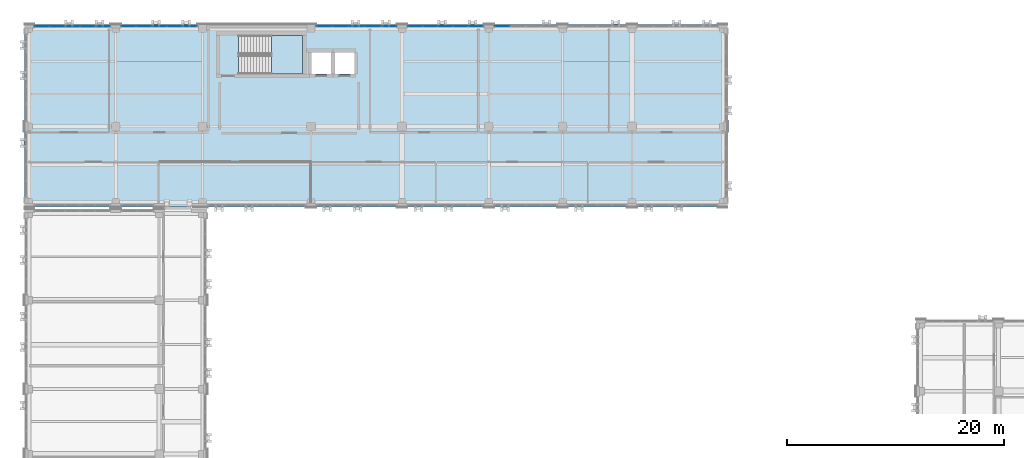
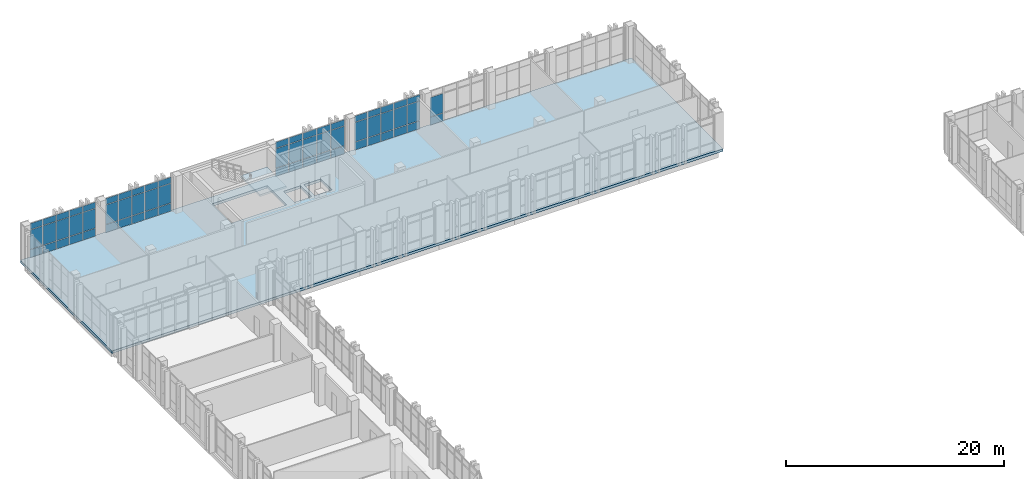
# One storey, part 146 of 193: 62 plates, 2 slabs, 6 elements without a shape of their own.
"""IFC4 building model written with IfcOpenShell, lengths in metres."""

from ifc_helpers import new_model, si_unit, direction, frame, origin, origin_2d, place, context, subcontext, project, spatial, polyline, rectangle, outline, extrude, material, layer, layer_set, type_object, element, aggregate, save


model = new_model("IFC4")

# Units and contexts
model_context = context("Model", 3, precision=1e-05, world=origin(), true_north=direction((0.0, 1.0)))
body_context = subcontext(model_context, "Body", "Model", "MODEL_VIEW")
ifc_project = project(units=[si_unit("LENGTHUNIT", "METRE"), si_unit("AREAUNIT", "SQUARE_METRE"), si_unit("VOLUMEUNIT", "CUBIC_METRE"), si_unit("PLANEANGLEUNIT", "RADIAN"), si_unit("MASSUNIT", "GRAM", prefix="KILO")], contexts=[model_context])

# Site, building, storey
site_placement = place(None, origin())
site = spatial("IfcSite", under=ifc_project, at=site_placement, CompositionType="ELEMENT")
building_placement = place(site_placement, origin())
building = spatial("IfcBuilding", under=site, at=building_placement, Name="Qalavern Law Courts", CompositionType="ELEMENT")
storey_placement = place(building_placement, frame((0.0, 0.0, 10.199951171875)))
storey = spatial("IfcBuildingStorey", under=building, at=storey_placement, Name="L02", CompositionType="ELEMENT", Elevation=10.199951171875)

# Curtain wall, plates
ifc_material_1 = material(Name="Anodised aluminium and insulated glazing", Category="aluminium")
ifc_layer_1 = layer(ifc_material_1, 0.166015625)
ifc_layer_set_1 = layer_set([ifc_layer_1], Name="Anodised aluminium and insulated glazing")
curtain_wall_type = type_object("IfcCurtainWallType", Name="ENV-CW-LIB", PredefinedType="USERDEFINED", material=ifc_layer_set_1)
curtain_wall_1_placement = place(storey_placement, origin())
curtain_wall_1 = element("IfcCurtainWall", 1, at=curtain_wall_1_placement, inside=storey, type_object=curtain_wall_type, Name="V5 unitised curtain wall L02 north 3", ObjectType="UNITISED CURTAIN WALL", PredefinedType="USERDEFINED")
ifc_material_2 = material(Name="Insulated low-E acoustic glazing", Category="glass")
ifc_layer_2 = layer(ifc_material_2, 0.02392578125)
ifc_layer_set_2 = layer_set([ifc_layer_2], Name="Insulated low-E acoustic glazing")
plate_type_1 = type_object("IfcPlateType", Name="ENV-CWP-24", PredefinedType="CURTAIN_PANEL", material=ifc_layer_set_2)
plate_1_placement = place(storey_placement, frame((46.037109375, 112.844970703125, 0.048095703125), z_axis=(0.0, 0.0, 1.0), x_axis=(-1.0, 0.0, 0.0)))
plate_1 = element("IfcPlate", 2, at=plate_1_placement, type_object=plate_type_1, Name="CW-05 panel 4.1", PredefinedType="CURTAIN_PANEL", context=body_context, shape_type="SweptSolid", body=[
    extrude(rectangle(XDim=1.3779296875, YDim=0.02392578125, at=origin_2d()), origin(), (0.0, 0.0, 1.0), 0.8779296875),
])
plate_2_placement = place(storey_placement, frame((46.037109375, 112.844970703125, 0.97412109375), z_axis=(0.0, 0.0, 1.0), x_axis=(-1.0, 0.0, 0.0)))
plate_2 = element("IfcPlate", 3, at=plate_2_placement, type_object=plate_type_1, Name="CW-05 panel 4.2", PredefinedType="CURTAIN_PANEL", context=body_context, shape_type="SweptSolid", body=[
    extrude(rectangle(XDim=1.3779296875, YDim=0.02392578125, at=origin_2d()), origin(), (0.0, 0.0, 1.0), 2.1669921875),
])
aggregate(curtain_wall_1, [plate_1, plate_2])

curtain_wall_2_placement = place(storey_placement, origin())
curtain_wall_2 = element("IfcCurtainWall", 4, at=curtain_wall_2_placement, inside=storey, type_object=curtain_wall_type, Name="V5 unitised curtain wall L02 north 4", ObjectType="UNITISED CURTAIN WALL", PredefinedType="USERDEFINED")
ifc_layer_3 = layer(ifc_material_2, 0.028076171875)
ifc_layer_set_3 = layer_set([ifc_layer_3], Name="Insulated low-E acoustic glazing")
plate_type_2 = type_object("IfcPlateType", Name="ENV-CWP-28", PredefinedType="CURTAIN_PANEL", material=ifc_layer_set_3)
plate_3_placement = place(storey_placement, frame((43.587890625, 112.844970703125, 0.048095703125), z_axis=(0.0, 0.0, 1.0), x_axis=(-1.0, 0.0, 0.0)))
plate_3 = element("IfcPlate", 5, at=plate_3_placement, type_object=plate_type_2, Name="CW-05 panel 1.1", PredefinedType="CURTAIN_PANEL", context=body_context, shape_type="SweptSolid", body=[
    extrude(rectangle(XDim=1.327880859375, YDim=0.028076171875, at=origin_2d()), origin(), (0.0, 0.0, 1.0), 0.8779296875),
])
plate_4_placement = place(storey_placement, frame((43.587890625, 112.844970703125, 0.97412109375), z_axis=(0.0, 0.0, 1.0), x_axis=(-1.0, 0.0, 0.0)))
plate_4 = element("IfcPlate", 6, at=plate_4_placement, type_object=plate_type_2, Name="CW-05 panel 1.2", PredefinedType="CURTAIN_PANEL", context=body_context, shape_type="SweptSolid", body=[
    extrude(rectangle(XDim=1.327880859375, YDim=0.028076171875, at=origin_2d()), origin(), (0.0, 0.0, 1.0), 2.1669921875),
])
plate_5_placement = place(storey_placement, frame((43.587890625, 112.844970703125, 3.18896484375), z_axis=(0.0, 0.0, 1.0), x_axis=(-1.0, 0.0, 0.0)))
plate_5 = element("IfcPlate", 7, at=plate_5_placement, type_object=plate_type_2, Name="CW-05 panel 1.3", PredefinedType="CURTAIN_PANEL", context=body_context, shape_type="SweptSolid", body=[
    extrude(rectangle(XDim=1.327880859375, YDim=0.028076171875, at=origin_2d()), origin(), (0.0, 0.0, 1.0), 0.677978515625),
])
plate_6_placement = place(storey_placement, frame((42.199951171875, 112.844970703125, 0.048095703125), z_axis=(0.0, 0.0, 1.0), x_axis=(-1.0, 0.0, 0.0)))
plate_6 = element("IfcPlate", 8, at=plate_6_placement, type_object=plate_type_2, Name="CW-05 panel 2.1", PredefinedType="CURTAIN_PANEL", context=body_context, shape_type="SweptSolid", body=[
    extrude(rectangle(XDim=1.35205078125, YDim=0.028076171875, at=origin_2d()), origin(), (0.0, 0.0, 1.0), 0.8779296875),
])
plate_7_placement = place(storey_placement, frame((42.199951171875, 112.844970703125, 0.97412109375), z_axis=(0.0, 0.0, 1.0), x_axis=(-1.0, 0.0, 0.0)))
plate_7 = element("IfcPlate", 9, at=plate_7_placement, type_object=plate_type_2, Name="CW-05 panel 2.2", PredefinedType="CURTAIN_PANEL", context=body_context, shape_type="SweptSolid", body=[
    extrude(rectangle(XDim=1.35205078125, YDim=0.028076171875, at=origin_2d()), origin(), (0.0, 0.0, 1.0), 2.1669921875),
])
plate_8_placement = place(storey_placement, frame((42.199951171875, 112.844970703125, 3.18896484375), z_axis=(0.0, 0.0, 1.0), x_axis=(-1.0, 0.0, 0.0)))
plate_8 = element("IfcPlate", 10, at=plate_8_placement, type_object=plate_type_2, Name="CW-05 panel 2.3", PredefinedType="CURTAIN_PANEL", context=body_context, shape_type="SweptSolid", body=[
    extrude(rectangle(XDim=1.35205078125, YDim=0.028076171875, at=origin_2d()), origin(), (0.0, 0.0, 1.0), 0.677978515625),
])
plate_9_placement = place(storey_placement, frame((40.800048828125, 112.844970703125, 0.048095703125), z_axis=(0.0, 0.0, 1.0), x_axis=(-1.0, 0.0, 0.0)))
plate_9 = element("IfcPlate", 11, at=plate_9_placement, type_object=plate_type_2, Name="CW-05 panel 3.1", PredefinedType="CURTAIN_PANEL", context=body_context, shape_type="SweptSolid", body=[
    extrude(rectangle(XDim=1.35205078125, YDim=0.028076171875, at=origin_2d()), origin(), (0.0, 0.0, 1.0), 0.8779296875),
])
plate_10_placement = place(storey_placement, frame((40.800048828125, 112.844970703125, 0.97412109375), z_axis=(0.0, 0.0, 1.0), x_axis=(-1.0, 0.0, 0.0)))
plate_10 = element("IfcPlate", 12, at=plate_10_placement, type_object=plate_type_2, Name="CW-05 panel 3.2", PredefinedType="CURTAIN_PANEL", context=body_context, shape_type="SweptSolid", body=[
    extrude(rectangle(XDim=1.35205078125, YDim=0.028076171875, at=origin_2d()), origin(), (0.0, 0.0, 1.0), 2.1669921875),
])
plate_11_placement = place(storey_placement, frame((40.800048828125, 112.844970703125, 3.18896484375), z_axis=(0.0, 0.0, 1.0), x_axis=(-1.0, 0.0, 0.0)))
plate_11 = element("IfcPlate", 13, at=plate_11_placement, type_object=plate_type_2, Name="CW-05 panel 3.3", PredefinedType="CURTAIN_PANEL", context=body_context, shape_type="SweptSolid", body=[
    extrude(rectangle(XDim=1.35205078125, YDim=0.028076171875, at=origin_2d()), origin(), (0.0, 0.0, 1.0), 0.677978515625),
])
plate_12_placement = place(storey_placement, frame((39.39990234375, 112.844970703125, 0.048095703125), z_axis=(0.0, 0.0, 1.0), x_axis=(-1.0, 0.0, 0.0)))
plate_12 = element("IfcPlate", 14, at=plate_12_placement, type_object=plate_type_2, Name="CW-05 panel 4.1", PredefinedType="CURTAIN_PANEL", context=body_context, shape_type="SweptSolid", body=[
    extrude(rectangle(XDim=1.35205078125, YDim=0.028076171875, at=origin_2d()), origin(), (0.0, 0.0, 1.0), 0.8779296875),
])
plate_13_placement = place(storey_placement, frame((39.39990234375, 112.844970703125, 0.97412109375), z_axis=(0.0, 0.0, 1.0), x_axis=(-1.0, 0.0, 0.0)))
plate_13 = element("IfcPlate", 15, at=plate_13_placement, type_object=plate_type_2, Name="CW-05 panel 4.2", PredefinedType="CURTAIN_PANEL", context=body_context, shape_type="SweptSolid", body=[
    extrude(rectangle(XDim=1.35205078125, YDim=0.028076171875, at=origin_2d()), origin(), (0.0, 0.0, 1.0), 2.1669921875),
])
plate_14_placement = place(storey_placement, frame((39.39990234375, 112.844970703125, 3.18896484375), z_axis=(0.0, 0.0, 1.0), x_axis=(-1.0, 0.0, 0.0)))
plate_14 = element("IfcPlate", 16, at=plate_14_placement, type_object=plate_type_2, Name="CW-05 panel 4.3", PredefinedType="CURTAIN_PANEL", context=body_context, shape_type="SweptSolid", body=[
    extrude(rectangle(XDim=1.35205078125, YDim=0.028076171875, at=origin_2d()), origin(), (0.0, 0.0, 1.0), 0.677978515625),
])
plate_15_placement = place(storey_placement, frame((38.011962890625, 112.844970703125, 0.048095703125), z_axis=(0.0, 0.0, 1.0), x_axis=(-1.0, 0.0, 0.0)))
plate_15 = element("IfcPlate", 17, at=plate_15_placement, type_object=plate_type_2, Name="CW-05 panel 5.1", PredefinedType="CURTAIN_PANEL", context=body_context, shape_type="SweptSolid", body=[
    extrude(rectangle(XDim=1.327880859375, YDim=0.028076171875, at=origin_2d()), origin(), (0.0, 0.0, 1.0), 0.8779296875),
])
plate_16_placement = place(storey_placement, frame((38.011962890625, 112.844970703125, 0.97412109375), z_axis=(0.0, 0.0, 1.0), x_axis=(-1.0, 0.0, 0.0)))
plate_16 = element("IfcPlate", 18, at=plate_16_placement, type_object=plate_type_2, Name="CW-05 panel 5.2", PredefinedType="CURTAIN_PANEL", context=body_context, shape_type="SweptSolid", body=[
    extrude(rectangle(XDim=1.327880859375, YDim=0.028076171875, at=origin_2d()), origin(), (0.0, 0.0, 1.0), 2.1669921875),
])
plate_17_placement = place(storey_placement, frame((38.011962890625, 112.844970703125, 3.18896484375), z_axis=(0.0, 0.0, 1.0), x_axis=(-1.0, 0.0, 0.0)))
plate_17 = element("IfcPlate", 19, at=plate_17_placement, type_object=plate_type_2, Name="CW-05 panel 5.3", PredefinedType="CURTAIN_PANEL", context=body_context, shape_type="SweptSolid", body=[
    extrude(rectangle(XDim=1.327880859375, YDim=0.028076171875, at=origin_2d()), origin(), (0.0, 0.0, 1.0), 0.677978515625),
])
aggregate(curtain_wall_2, [plate_3, plate_4, plate_5, plate_6, plate_7, plate_8, plate_9, plate_10, plate_11, plate_12, plate_13, plate_14, plate_15, plate_16, plate_17])

curtain_wall_3_placement = place(storey_placement, origin())
curtain_wall_3 = element("IfcCurtainWall", 20, at=curtain_wall_3_placement, inside=storey, type_object=curtain_wall_type, Name="V5 unitised curtain wall L02 north 5", ObjectType="UNITISED CURTAIN WALL", PredefinedType="USERDEFINED")
ifc_layer_4 = layer(ifc_material_2, 0.031982421875)
ifc_layer_set_4 = layer_set([ifc_layer_4], Name="Insulated low-E acoustic glazing")
plate_type_3 = type_object("IfcPlateType", Name="ENV-CWP-32", PredefinedType="CURTAIN_PANEL", material=ifc_layer_set_4)
plate_18_placement = place(storey_placement, frame((35.548095703125, 112.844970703125, 0.048095703125), z_axis=(0.0, 0.0, 1.0), x_axis=(-1.0, 0.0, 0.0)))
plate_18 = element("IfcPlate", 21, at=plate_18_placement, type_object=plate_type_3, Name="CW-05 panel 1.1", PredefinedType="CURTAIN_PANEL", context=body_context, shape_type="SweptSolid", body=[
    extrude(rectangle(XDim=1.407958984375, YDim=0.031982421875, at=origin_2d()), origin(), (0.0, 0.0, 1.0), 0.8779296875),
])
plate_19_placement = place(storey_placement, frame((35.548095703125, 112.844970703125, 0.97412109375), z_axis=(0.0, 0.0, 1.0), x_axis=(-1.0, 0.0, 0.0)))
plate_19 = element("IfcPlate", 22, at=plate_19_placement, type_object=plate_type_3, Name="CW-05 panel 1.2", PredefinedType="CURTAIN_PANEL", context=body_context, shape_type="SweptSolid", body=[
    extrude(rectangle(XDim=1.407958984375, YDim=0.031982421875, at=origin_2d()), origin(), (0.0, 0.0, 1.0), 2.1669921875),
])
plate_20_placement = place(storey_placement, frame((35.548095703125, 112.844970703125, 3.18896484375), z_axis=(0.0, 0.0, 1.0), x_axis=(-1.0, 0.0, 0.0)))
plate_20 = element("IfcPlate", 23, at=plate_20_placement, type_object=plate_type_3, Name="CW-05 panel 1.3", PredefinedType="CURTAIN_PANEL", context=body_context, shape_type="SweptSolid", body=[
    extrude(rectangle(XDim=1.407958984375, YDim=0.031982421875, at=origin_2d()), origin(), (0.0, 0.0, 1.0), 0.677978515625),
])
plate_21_placement = place(storey_placement, frame((34.080078125, 112.844970703125, 0.048095703125), z_axis=(0.0, 0.0, 1.0), x_axis=(-1.0, 0.0, 0.0)))
plate_21 = element("IfcPlate", 24, at=plate_21_placement, type_object=plate_type_3, Name="CW-05 panel 2.1", PredefinedType="CURTAIN_PANEL", context=body_context, shape_type="SweptSolid", body=[
    extrude(rectangle(XDim=1.431884765625, YDim=0.031982421875, at=origin_2d()), origin(), (0.0, 0.0, 1.0), 0.8779296875),
])
plate_22_placement = place(storey_placement, frame((34.080078125, 112.844970703125, 0.97412109375), z_axis=(0.0, 0.0, 1.0), x_axis=(-1.0, 0.0, 0.0)))
plate_22 = element("IfcPlate", 25, at=plate_22_placement, type_object=plate_type_3, Name="CW-05 panel 2.2", PredefinedType="CURTAIN_PANEL", context=body_context, shape_type="SweptSolid", body=[
    extrude(rectangle(XDim=1.431884765625, YDim=0.031982421875, at=origin_2d()), origin(), (0.0, 0.0, 1.0), 2.1669921875),
])
plate_23_placement = place(storey_placement, frame((34.080078125, 112.844970703125, 3.18896484375), z_axis=(0.0, 0.0, 1.0), x_axis=(-1.0, 0.0, 0.0)))
plate_23 = element("IfcPlate", 26, at=plate_23_placement, type_object=plate_type_3, Name="CW-05 panel 2.3", PredefinedType="CURTAIN_PANEL", context=body_context, shape_type="SweptSolid", body=[
    extrude(rectangle(XDim=1.431884765625, YDim=0.031982421875, at=origin_2d()), origin(), (0.0, 0.0, 1.0), 0.677978515625),
])
plate_24_placement = place(storey_placement, frame((32.60009765625, 112.844970703125, 0.048095703125), z_axis=(0.0, 0.0, 1.0), x_axis=(-1.0, 0.0, 0.0)))
plate_24 = element("IfcPlate", 27, at=plate_24_placement, type_object=plate_type_3, Name="CW-05 panel 3.1", PredefinedType="CURTAIN_PANEL", context=body_context, shape_type="SweptSolid", body=[
    extrude(rectangle(XDim=1.431884765625, YDim=0.031982421875, at=origin_2d()), origin(), (0.0, 0.0, 1.0), 0.8779296875),
])
plate_25_placement = place(storey_placement, frame((32.60009765625, 112.844970703125, 0.97412109375), z_axis=(0.0, 0.0, 1.0), x_axis=(-1.0, 0.0, 0.0)))
plate_25 = element("IfcPlate", 28, at=plate_25_placement, type_object=plate_type_3, Name="CW-05 panel 3.2", PredefinedType="CURTAIN_PANEL", context=body_context, shape_type="SweptSolid", body=[
    extrude(rectangle(XDim=1.431884765625, YDim=0.031982421875, at=origin_2d()), origin(), (0.0, 0.0, 1.0), 2.1669921875),
])
plate_26_placement = place(storey_placement, frame((32.60009765625, 112.844970703125, 3.18896484375), z_axis=(0.0, 0.0, 1.0), x_axis=(-1.0, 0.0, 0.0)))
plate_26 = element("IfcPlate", 29, at=plate_26_placement, type_object=plate_type_3, Name="CW-05 panel 3.3", PredefinedType="CURTAIN_PANEL", context=body_context, shape_type="SweptSolid", body=[
    extrude(rectangle(XDim=1.431884765625, YDim=0.031982421875, at=origin_2d()), origin(), (0.0, 0.0, 1.0), 0.677978515625),
])
plate_27_placement = place(storey_placement, frame((31.1201171875, 112.844970703125, 0.048095703125), z_axis=(0.0, 0.0, 1.0), x_axis=(-1.0, 0.0, 0.0)))
plate_27 = element("IfcPlate", 30, at=plate_27_placement, type_object=plate_type_3, Name="CW-05 panel 4.1", PredefinedType="CURTAIN_PANEL", context=body_context, shape_type="SweptSolid", body=[
    extrude(rectangle(XDim=1.431884765625, YDim=0.031982421875, at=origin_2d()), origin(), (0.0, 0.0, 1.0), 0.8779296875),
])
plate_28_placement = place(storey_placement, frame((31.1201171875, 112.844970703125, 0.97412109375), z_axis=(0.0, 0.0, 1.0), x_axis=(-1.0, 0.0, 0.0)))
plate_28 = element("IfcPlate", 31, at=plate_28_placement, type_object=plate_type_3, Name="CW-05 panel 4.2", PredefinedType="CURTAIN_PANEL", context=body_context, shape_type="SweptSolid", body=[
    extrude(rectangle(XDim=1.431884765625, YDim=0.031982421875, at=origin_2d()), origin(), (0.0, 0.0, 1.0), 2.1669921875),
])
plate_29_placement = place(storey_placement, frame((31.1201171875, 112.844970703125, 3.18896484375), z_axis=(0.0, 0.0, 1.0), x_axis=(-1.0, 0.0, 0.0)))
plate_29 = element("IfcPlate", 32, at=plate_29_placement, type_object=plate_type_3, Name="CW-05 panel 4.3", PredefinedType="CURTAIN_PANEL", context=body_context, shape_type="SweptSolid", body=[
    extrude(rectangle(XDim=1.431884765625, YDim=0.031982421875, at=origin_2d()), origin(), (0.0, 0.0, 1.0), 0.677978515625),
])
plate_30_placement = place(storey_placement, frame((29.652099609375, 112.844970703125, 0.048095703125), z_axis=(0.0, 0.0, 1.0), x_axis=(-1.0, 0.0, 0.0)))
plate_30 = element("IfcPlate", 33, at=plate_30_placement, type_object=plate_type_3, Name="CW-05 panel 5.1", PredefinedType="CURTAIN_PANEL", context=body_context, shape_type="SweptSolid", body=[
    extrude(rectangle(XDim=1.407958984375, YDim=0.031982421875, at=origin_2d()), origin(), (0.0, 0.0, 1.0), 0.8779296875),
])
plate_31_placement = place(storey_placement, frame((29.652099609375, 112.844970703125, 0.97412109375), z_axis=(0.0, 0.0, 1.0), x_axis=(-1.0, 0.0, 0.0)))
plate_31 = element("IfcPlate", 34, at=plate_31_placement, type_object=plate_type_3, Name="CW-05 panel 5.2", PredefinedType="CURTAIN_PANEL", context=body_context, shape_type="SweptSolid", body=[
    extrude(rectangle(XDim=1.407958984375, YDim=0.031982421875, at=origin_2d()), origin(), (0.0, 0.0, 1.0), 2.1669921875),
])
plate_32_placement = place(storey_placement, frame((29.652099609375, 112.844970703125, 3.18896484375), z_axis=(0.0, 0.0, 1.0), x_axis=(-1.0, 0.0, 0.0)))
plate_32 = element("IfcPlate", 35, at=plate_32_placement, type_object=plate_type_3, Name="CW-05 panel 5.3", PredefinedType="CURTAIN_PANEL", context=body_context, shape_type="SweptSolid", body=[
    extrude(rectangle(XDim=1.407958984375, YDim=0.031982421875, at=origin_2d()), origin(), (0.0, 0.0, 1.0), 0.677978515625),
])
aggregate(curtain_wall_3, [plate_18, plate_19, plate_20, plate_21, plate_22, plate_23, plate_24, plate_25, plate_26, plate_27, plate_28, plate_29, plate_30, plate_31, plate_32])

curtain_wall_4_placement = place(storey_placement, origin())
curtain_wall_4 = element("IfcCurtainWall", 36, at=curtain_wall_4_placement, inside=storey, type_object=curtain_wall_type, Name="V5 unitised curtain wall L02 north 6", ObjectType="UNITISED CURTAIN WALL", PredefinedType="USERDEFINED")
ifc_layer_5 = layer(ifc_material_2, 0.035888671875)
ifc_layer_set_5 = layer_set([ifc_layer_5], Name="Insulated low-E acoustic glazing")
plate_type_4 = type_object("IfcPlateType", Name="ENV-CWP-36", PredefinedType="CURTAIN_PANEL", material=ifc_layer_set_5)
plate_33_placement = place(storey_placement, frame((17.18798828125, 112.844970703125, 0.048095703125), z_axis=(0.0, 0.0, 1.0), x_axis=(-1.0, 0.0, 0.0)))
plate_33 = element("IfcPlate", 37, at=plate_33_placement, type_object=plate_type_4, Name="CW-05 panel 1.1", PredefinedType="CURTAIN_PANEL", context=body_context, shape_type="SweptSolid", body=[
    extrude(rectangle(XDim=1.327880859375, YDim=0.035888671875, at=origin_2d()), origin(), (0.0, 0.0, 1.0), 0.8779296875),
])
plate_34_placement = place(storey_placement, frame((17.18798828125, 112.844970703125, 0.97412109375), z_axis=(0.0, 0.0, 1.0), x_axis=(-1.0, 0.0, 0.0)))
plate_34 = element("IfcPlate", 38, at=plate_34_placement, type_object=plate_type_4, Name="CW-05 panel 1.2", PredefinedType="CURTAIN_PANEL", context=body_context, shape_type="SweptSolid", body=[
    extrude(rectangle(XDim=1.327880859375, YDim=0.035888671875, at=origin_2d()), origin(), (0.0, 0.0, 1.0), 2.1669921875),
])
plate_35_placement = place(storey_placement, frame((17.18798828125, 112.844970703125, 3.18896484375), z_axis=(0.0, 0.0, 1.0), x_axis=(-1.0, 0.0, 0.0)))
plate_35 = element("IfcPlate", 39, at=plate_35_placement, type_object=plate_type_4, Name="CW-05 panel 1.3", PredefinedType="CURTAIN_PANEL", context=body_context, shape_type="SweptSolid", body=[
    extrude(rectangle(XDim=1.327880859375, YDim=0.035888671875, at=origin_2d()), origin(), (0.0, 0.0, 1.0), 0.677978515625),
])
plate_36_placement = place(storey_placement, frame((15.800048828125, 112.844970703125, 0.048095703125), z_axis=(0.0, 0.0, 1.0), x_axis=(-1.0, 0.0, 0.0)))
plate_36 = element("IfcPlate", 40, at=plate_36_placement, type_object=plate_type_4, Name="CW-05 panel 2.1", PredefinedType="CURTAIN_PANEL", context=body_context, shape_type="SweptSolid", body=[
    extrude(rectangle(XDim=1.35205078125, YDim=0.035888671875, at=origin_2d()), origin(), (0.0, 0.0, 1.0), 0.8779296875),
])
plate_37_placement = place(storey_placement, frame((15.800048828125, 112.844970703125, 0.97412109375), z_axis=(0.0, 0.0, 1.0), x_axis=(-1.0, 0.0, 0.0)))
plate_37 = element("IfcPlate", 41, at=plate_37_placement, type_object=plate_type_4, Name="CW-05 panel 2.2", PredefinedType="CURTAIN_PANEL", context=body_context, shape_type="SweptSolid", body=[
    extrude(rectangle(XDim=1.35205078125, YDim=0.035888671875, at=origin_2d()), origin(), (0.0, 0.0, 1.0), 2.1669921875),
])
plate_38_placement = place(storey_placement, frame((15.800048828125, 112.844970703125, 3.18896484375), z_axis=(0.0, 0.0, 1.0), x_axis=(-1.0, 0.0, 0.0)))
plate_38 = element("IfcPlate", 42, at=plate_38_placement, type_object=plate_type_4, Name="CW-05 panel 2.3", PredefinedType="CURTAIN_PANEL", context=body_context, shape_type="SweptSolid", body=[
    extrude(rectangle(XDim=1.35205078125, YDim=0.035888671875, at=origin_2d()), origin(), (0.0, 0.0, 1.0), 0.677978515625),
])
plate_39_placement = place(storey_placement, frame((14.39990234375, 112.844970703125, 0.048095703125), z_axis=(0.0, 0.0, 1.0), x_axis=(-1.0, 0.0, 0.0)))
plate_39 = element("IfcPlate", 43, at=plate_39_placement, type_object=plate_type_4, Name="CW-05 panel 3.1", PredefinedType="CURTAIN_PANEL", context=body_context, shape_type="SweptSolid", body=[
    extrude(rectangle(XDim=1.35205078125, YDim=0.035888671875, at=origin_2d()), origin(), (0.0, 0.0, 1.0), 0.8779296875),
])
plate_40_placement = place(storey_placement, frame((14.39990234375, 112.844970703125, 0.97412109375), z_axis=(0.0, 0.0, 1.0), x_axis=(-1.0, 0.0, 0.0)))
plate_40 = element("IfcPlate", 44, at=plate_40_placement, type_object=plate_type_4, Name="CW-05 panel 3.2", PredefinedType="CURTAIN_PANEL", context=body_context, shape_type="SweptSolid", body=[
    extrude(rectangle(XDim=1.35205078125, YDim=0.035888671875, at=origin_2d()), origin(), (0.0, 0.0, 1.0), 2.1669921875),
])
plate_41_placement = place(storey_placement, frame((14.39990234375, 112.844970703125, 3.18896484375), z_axis=(0.0, 0.0, 1.0), x_axis=(-1.0, 0.0, 0.0)))
plate_41 = element("IfcPlate", 45, at=plate_41_placement, type_object=plate_type_4, Name="CW-05 panel 3.3", PredefinedType="CURTAIN_PANEL", context=body_context, shape_type="SweptSolid", body=[
    extrude(rectangle(XDim=1.35205078125, YDim=0.035888671875, at=origin_2d()), origin(), (0.0, 0.0, 1.0), 0.677978515625),
])
plate_42_placement = place(storey_placement, frame((13.0, 112.844970703125, 0.048095703125), z_axis=(0.0, 0.0, 1.0), x_axis=(-1.0, 0.0, 0.0)))
plate_42 = element("IfcPlate", 46, at=plate_42_placement, type_object=plate_type_4, Name="CW-05 panel 4.1", PredefinedType="CURTAIN_PANEL", context=body_context, shape_type="SweptSolid", body=[
    extrude(rectangle(XDim=1.35205078125, YDim=0.035888671875, at=origin_2d()), origin(), (0.0, 0.0, 1.0), 0.8779296875),
])
plate_43_placement = place(storey_placement, frame((13.0, 112.844970703125, 0.97412109375), z_axis=(0.0, 0.0, 1.0), x_axis=(-1.0, 0.0, 0.0)))
plate_43 = element("IfcPlate", 47, at=plate_43_placement, type_object=plate_type_4, Name="CW-05 panel 4.2", PredefinedType="CURTAIN_PANEL", context=body_context, shape_type="SweptSolid", body=[
    extrude(rectangle(XDim=1.35205078125, YDim=0.035888671875, at=origin_2d()), origin(), (0.0, 0.0, 1.0), 2.1669921875),
])
plate_44_placement = place(storey_placement, frame((13.0, 112.844970703125, 3.18896484375), z_axis=(0.0, 0.0, 1.0), x_axis=(-1.0, 0.0, 0.0)))
plate_44 = element("IfcPlate", 48, at=plate_44_placement, type_object=plate_type_4, Name="CW-05 panel 4.3", PredefinedType="CURTAIN_PANEL", context=body_context, shape_type="SweptSolid", body=[
    extrude(rectangle(XDim=1.35205078125, YDim=0.035888671875, at=origin_2d()), origin(), (0.0, 0.0, 1.0), 0.677978515625),
])
plate_45_placement = place(storey_placement, frame((11.612060546875, 112.844970703125, 0.048095703125), z_axis=(0.0, 0.0, 1.0), x_axis=(-1.0, 0.0, 0.0)))
plate_45 = element("IfcPlate", 49, at=plate_45_placement, type_object=plate_type_4, Name="CW-05 panel 5.1", PredefinedType="CURTAIN_PANEL", context=body_context, shape_type="SweptSolid", body=[
    extrude(rectangle(XDim=1.327880859375, YDim=0.035888671875, at=origin_2d()), origin(), (0.0, 0.0, 1.0), 0.8779296875),
])
plate_46_placement = place(storey_placement, frame((11.612060546875, 112.844970703125, 0.97412109375), z_axis=(0.0, 0.0, 1.0), x_axis=(-1.0, 0.0, 0.0)))
plate_46 = element("IfcPlate", 50, at=plate_46_placement, type_object=plate_type_4, Name="CW-05 panel 5.2", PredefinedType="CURTAIN_PANEL", context=body_context, shape_type="SweptSolid", body=[
    extrude(rectangle(XDim=1.327880859375, YDim=0.035888671875, at=origin_2d()), origin(), (0.0, 0.0, 1.0), 2.1669921875),
])
plate_47_placement = place(storey_placement, frame((11.612060546875, 112.844970703125, 3.18896484375), z_axis=(0.0, 0.0, 1.0), x_axis=(-1.0, 0.0, 0.0)))
plate_47 = element("IfcPlate", 51, at=plate_47_placement, type_object=plate_type_4, Name="CW-05 panel 5.3", PredefinedType="CURTAIN_PANEL", context=body_context, shape_type="SweptSolid", body=[
    extrude(rectangle(XDim=1.327880859375, YDim=0.035888671875, at=origin_2d()), origin(), (0.0, 0.0, 1.0), 0.677978515625),
])
aggregate(curtain_wall_4, [plate_33, plate_34, plate_35, plate_36, plate_37, plate_38, plate_39, plate_40, plate_41, plate_42, plate_43, plate_44, plate_45, plate_46, plate_47])

curtain_wall_5_placement = place(storey_placement, origin())
curtain_wall_5 = element("IfcCurtainWall", 52, at=curtain_wall_5_placement, inside=storey, type_object=curtain_wall_type, Name="V5 unitised curtain wall L02 north 7", ObjectType="UNITISED CURTAIN WALL", PredefinedType="USERDEFINED")
ifc_layer_6 = layer(ifc_material_2, 0.0400390625)
ifc_layer_set_6 = layer_set([ifc_layer_6], Name="Insulated low-E acoustic glazing")
plate_type_5 = type_object("IfcPlateType", Name="ENV-CWP-40", PredefinedType="CURTAIN_PANEL", material=ifc_layer_set_6)
plate_48_placement = place(storey_placement, frame((9.18798828125, 112.844970703125, 0.048095703125), z_axis=(0.0, 0.0, 1.0), x_axis=(-1.0, 0.0, 0.0)))
plate_48 = element("IfcPlate", 53, at=plate_48_placement, type_object=plate_type_5, Name="CW-05 panel 1.1", PredefinedType="CURTAIN_PANEL", context=body_context, shape_type="SweptSolid", body=[
    extrude(rectangle(XDim=1.327880859375, YDim=0.0400390625, at=origin_2d()), origin(), (0.0, 0.0, 1.0), 0.8779296875),
])
plate_49_placement = place(storey_placement, frame((9.18798828125, 112.844970703125, 0.97412109375), z_axis=(0.0, 0.0, 1.0), x_axis=(-1.0, 0.0, 0.0)))
plate_49 = element("IfcPlate", 54, at=plate_49_placement, type_object=plate_type_5, Name="CW-05 panel 1.2", PredefinedType="CURTAIN_PANEL", context=body_context, shape_type="SweptSolid", body=[
    extrude(rectangle(XDim=1.327880859375, YDim=0.0400390625, at=origin_2d()), origin(), (0.0, 0.0, 1.0), 2.1669921875),
])
plate_50_placement = place(storey_placement, frame((9.18798828125, 112.844970703125, 3.18896484375), z_axis=(0.0, 0.0, 1.0), x_axis=(-1.0, 0.0, 0.0)))
plate_50 = element("IfcPlate", 55, at=plate_50_placement, type_object=plate_type_5, Name="CW-05 panel 1.3", PredefinedType="CURTAIN_PANEL", context=body_context, shape_type="SweptSolid", body=[
    extrude(rectangle(XDim=1.327880859375, YDim=0.0400390625, at=origin_2d()), origin(), (0.0, 0.0, 1.0), 0.677978515625),
])
plate_51_placement = place(storey_placement, frame((7.800048828125, 112.844970703125, 0.048095703125), z_axis=(0.0, 0.0, 1.0), x_axis=(-1.0, 0.0, 0.0)))
plate_51 = element("IfcPlate", 56, at=plate_51_placement, type_object=plate_type_5, Name="CW-05 panel 2.1", PredefinedType="CURTAIN_PANEL", context=body_context, shape_type="SweptSolid", body=[
    extrude(rectangle(XDim=1.35205078125, YDim=0.0400390625, at=origin_2d()), origin(), (0.0, 0.0, 1.0), 0.8779296875),
])
plate_52_placement = place(storey_placement, frame((7.800048828125, 112.844970703125, 0.97412109375), z_axis=(0.0, 0.0, 1.0), x_axis=(-1.0, 0.0, 0.0)))
plate_52 = element("IfcPlate", 57, at=plate_52_placement, type_object=plate_type_5, Name="CW-05 panel 2.2", PredefinedType="CURTAIN_PANEL", context=body_context, shape_type="SweptSolid", body=[
    extrude(rectangle(XDim=1.35205078125, YDim=0.0400390625, at=origin_2d()), origin(), (0.0, 0.0, 1.0), 2.1669921875),
])
plate_53_placement = place(storey_placement, frame((7.800048828125, 112.844970703125, 3.18896484375), z_axis=(0.0, 0.0, 1.0), x_axis=(-1.0, 0.0, 0.0)))
plate_53 = element("IfcPlate", 58, at=plate_53_placement, type_object=plate_type_5, Name="CW-05 panel 2.3", PredefinedType="CURTAIN_PANEL", context=body_context, shape_type="SweptSolid", body=[
    extrude(rectangle(XDim=1.35205078125, YDim=0.0400390625, at=origin_2d()), origin(), (0.0, 0.0, 1.0), 0.677978515625),
])
plate_54_placement = place(storey_placement, frame((6.39990234375, 112.844970703125, 0.048095703125), z_axis=(0.0, 0.0, 1.0), x_axis=(-1.0, 0.0, 0.0)))
plate_54 = element("IfcPlate", 59, at=plate_54_placement, type_object=plate_type_5, Name="CW-05 panel 3.1", PredefinedType="CURTAIN_PANEL", context=body_context, shape_type="SweptSolid", body=[
    extrude(rectangle(XDim=1.35205078125, YDim=0.0400390625, at=origin_2d()), origin(), (0.0, 0.0, 1.0), 0.8779296875),
])
plate_55_placement = place(storey_placement, frame((6.39990234375, 112.844970703125, 0.97412109375), z_axis=(0.0, 0.0, 1.0), x_axis=(-1.0, 0.0, 0.0)))
plate_55 = element("IfcPlate", 60, at=plate_55_placement, type_object=plate_type_5, Name="CW-05 panel 3.2", PredefinedType="CURTAIN_PANEL", context=body_context, shape_type="SweptSolid", body=[
    extrude(rectangle(XDim=1.35205078125, YDim=0.0400390625, at=origin_2d()), origin(), (0.0, 0.0, 1.0), 2.1669921875),
])
plate_56_placement = place(storey_placement, frame((6.39990234375, 112.844970703125, 3.18896484375), z_axis=(0.0, 0.0, 1.0), x_axis=(-1.0, 0.0, 0.0)))
plate_56 = element("IfcPlate", 61, at=plate_56_placement, type_object=plate_type_5, Name="CW-05 panel 3.3", PredefinedType="CURTAIN_PANEL", context=body_context, shape_type="SweptSolid", body=[
    extrude(rectangle(XDim=1.35205078125, YDim=0.0400390625, at=origin_2d()), origin(), (0.0, 0.0, 1.0), 0.677978515625),
])
plate_57_placement = place(storey_placement, frame((5.0, 112.844970703125, 0.048095703125), z_axis=(0.0, 0.0, 1.0), x_axis=(-1.0, 0.0, 0.0)))
plate_57 = element("IfcPlate", 62, at=plate_57_placement, type_object=plate_type_5, Name="CW-05 panel 4.1", PredefinedType="CURTAIN_PANEL", context=body_context, shape_type="SweptSolid", body=[
    extrude(rectangle(XDim=1.35205078125, YDim=0.0400390625, at=origin_2d()), origin(), (0.0, 0.0, 1.0), 0.8779296875),
])
plate_58_placement = place(storey_placement, frame((5.0, 112.844970703125, 0.97412109375), z_axis=(0.0, 0.0, 1.0), x_axis=(-1.0, 0.0, 0.0)))
plate_58 = element("IfcPlate", 63, at=plate_58_placement, type_object=plate_type_5, Name="CW-05 panel 4.2", PredefinedType="CURTAIN_PANEL", context=body_context, shape_type="SweptSolid", body=[
    extrude(rectangle(XDim=1.35205078125, YDim=0.0400390625, at=origin_2d()), origin(), (0.0, 0.0, 1.0), 2.1669921875),
])
plate_59_placement = place(storey_placement, frame((5.0, 112.844970703125, 3.18896484375), z_axis=(0.0, 0.0, 1.0), x_axis=(-1.0, 0.0, 0.0)))
plate_59 = element("IfcPlate", 64, at=plate_59_placement, type_object=plate_type_5, Name="CW-05 panel 4.3", PredefinedType="CURTAIN_PANEL", context=body_context, shape_type="SweptSolid", body=[
    extrude(rectangle(XDim=1.35205078125, YDim=0.0400390625, at=origin_2d()), origin(), (0.0, 0.0, 1.0), 0.677978515625),
])
plate_60_placement = place(storey_placement, frame((3.612060546875, 112.844970703125, 0.048095703125), z_axis=(0.0, 0.0, 1.0), x_axis=(-1.0, 0.0, 0.0)))
plate_60 = element("IfcPlate", 65, at=plate_60_placement, type_object=plate_type_5, Name="CW-05 panel 5.1", PredefinedType="CURTAIN_PANEL", context=body_context, shape_type="SweptSolid", body=[
    extrude(rectangle(XDim=1.327880859375, YDim=0.0400390625, at=origin_2d()), origin(), (0.0, 0.0, 1.0), 0.8779296875),
])
plate_61_placement = place(storey_placement, frame((3.612060546875, 112.844970703125, 0.97412109375), z_axis=(0.0, 0.0, 1.0), x_axis=(-1.0, 0.0, 0.0)))
plate_61 = element("IfcPlate", 66, at=plate_61_placement, type_object=plate_type_5, Name="CW-05 panel 5.2", PredefinedType="CURTAIN_PANEL", context=body_context, shape_type="SweptSolid", body=[
    extrude(rectangle(XDim=1.327880859375, YDim=0.0400390625, at=origin_2d()), origin(), (0.0, 0.0, 1.0), 2.1669921875),
])
plate_62_placement = place(storey_placement, frame((3.612060546875, 112.844970703125, 3.18896484375), z_axis=(0.0, 0.0, 1.0), x_axis=(-1.0, 0.0, 0.0)))
plate_62 = element("IfcPlate", 67, at=plate_62_placement, type_object=plate_type_5, Name="CW-05 panel 5.3", PredefinedType="CURTAIN_PANEL", context=body_context, shape_type="SweptSolid", body=[
    extrude(rectangle(XDim=1.327880859375, YDim=0.0400390625, at=origin_2d()), origin(), (0.0, 0.0, 1.0), 0.677978515625),
])
aggregate(curtain_wall_5, [plate_48, plate_49, plate_50, plate_51, plate_52, plate_53, plate_54, plate_55, plate_56, plate_57, plate_58, plate_59, plate_60, plate_61, plate_62])

# Stair, slab
ifc_material_3 = material(Name="Concrete C35/45", Category="concrete")
stair_type = type_object("IfcStairType", Name="INT-STAIR-1700", PredefinedType="HALF_TURN_STAIR", material=ifc_material_3)
stair_placement = place(storey_placement, origin())
stair = element("IfcStair", 68, at=stair_placement, inside=storey, type_object=stair_type, Name="L02 ST-K3", PredefinedType="HALF_TURN_STAIR")
ifc_layer_7 = layer(ifc_material_3, 0.199951171875)
ifc_layer_set_7 = layer_set([ifc_layer_7], Name="Concrete C35/45")
slab_type_1 = type_object("IfcSlabType", Name="INT-LANDING-200", PredefinedType="LANDING", material=ifc_layer_set_7)
slab_1_placement = place(storey_placement, frame((0.0, 0.0, 1.900146484375)))
slab_1 = element("IfcSlab", 69, at=slab_1_placement, type_object=slab_type_1, Name="ST-K3 landing 1", PredefinedType="LANDING", context=body_context, shape_type="SweptSolid", body=[
    extrude(outline(polyline([(24.780029296875, 108.449951171875), (27.60009765625, 108.449951171875), (27.60009765625, 112.0), (24.780029296875, 112.0), (24.780029296875, 108.449951171875)])), origin(), (0.0, 0.0, 1.0), 0.199951171875),
])
aggregate(stair, [slab_1])

# Slab
ifc_material_4 = material(Name="Concrete C40/50", Category="concrete")
ifc_layer_8 = layer(ifc_material_4, 0.2900390625)
ifc_layer_set_8 = layer_set([ifc_layer_8], Name="Concrete C40/50")
slab_type_2 = type_object("IfcSlabType", Name="STR-SLB-L02-290", PredefinedType="FLOOR", material=ifc_layer_set_8)
slab_2_placement = place(storey_placement, frame((0.0, 0.0, -0.2900390625)))
element("IfcSlab", 70, at=slab_2_placement, inside=storey, type_object=slab_type_2, Name="V5 floor slab L02", PredefinedType="FLOOR", context=body_context, shape_type="SweptSolid", body=[
    extrude(outline(polyline([(2.0, 96.199951171875), (66.800048828125, 96.199951171875), (66.800048828125, 113.0), (2.0, 113.0), (2.0, 96.199951171875)]), holes=[polyline([(21.739990234375, 108.449951171875), (27.60009765625, 108.449951171875), (27.60009765625, 112.0), (21.739990234375, 112.0), (21.739990234375, 108.449951171875)]), polyline([(28.449951171875, 108.449951171875), (30.25, 108.449951171875), (30.25, 110.449951171875), (28.449951171875, 110.449951171875), (28.449951171875, 108.449951171875)]), polyline([(30.60009765625, 108.449951171875), (32.39990234375, 108.449951171875), (32.39990234375, 110.449951171875), (30.60009765625, 110.449951171875), (30.60009765625, 108.449951171875)])]), origin(), (0.0, 0.0, 1.0), 0.2900390625),
])

save(model, "model.ifc")
